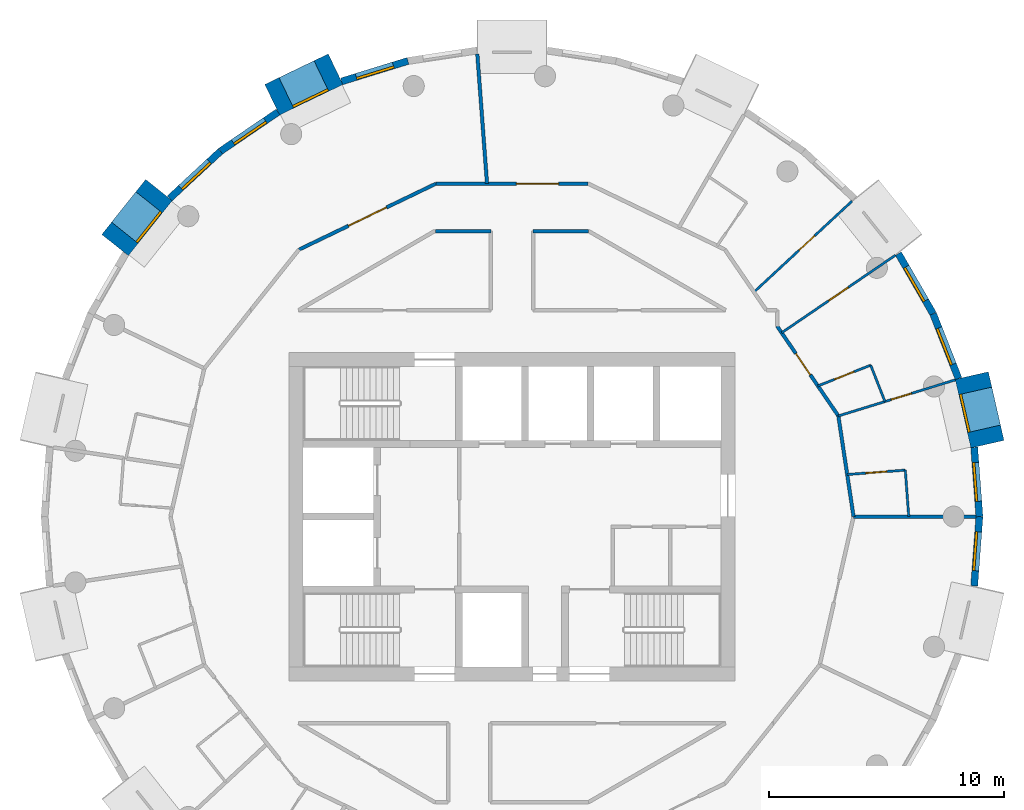
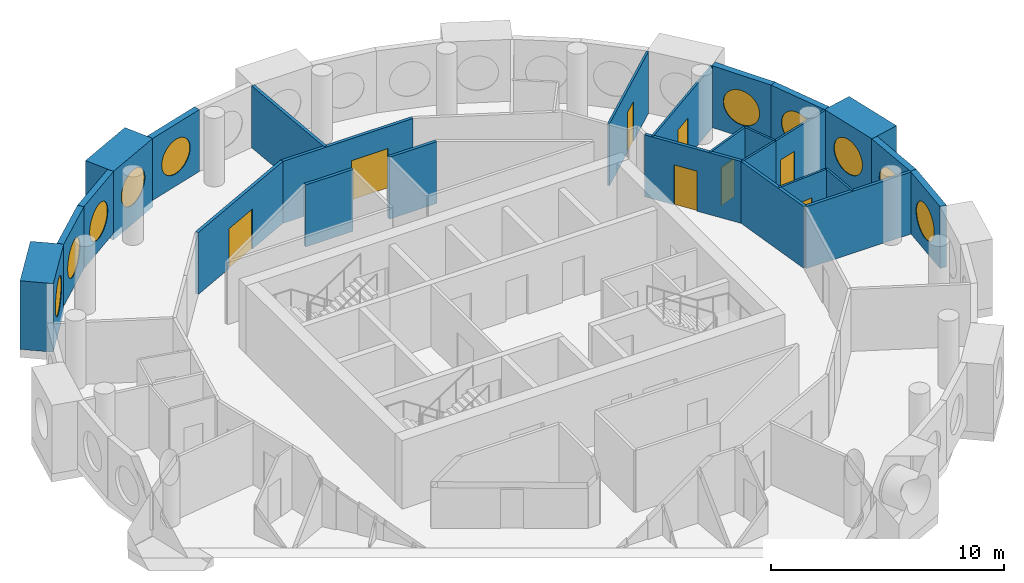
# One storey, part 9 of 12: 26 walls, 10 windows, 8 doors, 18 openings.
"""IFC4 building model written with IfcOpenShell, lengths in metres."""

from ifc_helpers import new_model, si_unit, direction, frame, frame_2d, origin, origin_2d, place, context, subcontext, project, spatial, rectangle, circle, extrude, material, layer, layer_set, type_object, element, fill, save


model = new_model("IFC4")

# Units and contexts
model_context = context("Model", 3, precision=1e-05, world=origin(), true_north=direction((0.0, 1.0)))
body_context = subcontext(model_context, "Body", "Model", "MODEL_VIEW")
ifc_project = project(units=[si_unit("LENGTHUNIT", "METRE"), si_unit("AREAUNIT", "SQUARE_METRE"), si_unit("VOLUMEUNIT", "CUBIC_METRE"), si_unit("PLANEANGLEUNIT", "RADIAN"), si_unit("MASSUNIT", "GRAM", prefix="KILO")], contexts=[model_context])

# Site, building, storey
site_placement = place(None, origin())
site = spatial("IfcSite", under=ifc_project, at=site_placement, CompositionType="ELEMENT")
building_placement = place(site_placement, origin())
building = spatial("IfcBuilding", under=site, at=building_placement, Name="Tracery Tower", CompositionType="ELEMENT")
storey_placement = place(building_placement, frame((0.0, 0.0, 283.800048828125)))
storey = spatial("IfcBuildingStorey", under=building, at=storey_placement, Name="L73", CompositionType="ELEMENT", Elevation=283.800048828125)

# Wall, opening, window
ifc_material_1 = material(Name="Precast concrete C50/60", Category="concrete")
ifc_layer_1 = layer(ifc_material_1, 1.449951171875)
ifc_layer_set_1 = layer_set([ifc_layer_1], Name="Deep-set bay unit 3000 x 3600, slab edge 350")
wall_type_1 = type_object("IfcWallType", Name="Deep-set bay unit 3000 x 3600, slab edge 350", PredefinedType="ELEMENTEDWALL", material=ifc_layer_set_1)
wall_1_placement = place(storey_placement, frame((20.262451171875, 3.086181640625, -0.35009765625), z_axis=(0.0, 0.0, 1.0), x_axis=(-0.222570682856, 0.974916555985, 0.0)))
wall_1 = element("IfcWall", 1, at=wall_1_placement, inside=storey, type_object=wall_type_1, Name="Deep-set bay unit 2 at L73", PredefinedType="ELEMENTEDWALL", context=body_context, shape_type="SweptSolid", body=[
    extrude(rectangle(XDim=3.0, YDim=1.449951171875, at=frame_2d((1.5, 0.0))), origin(), (0.0, 0.0, 1.0), 3.60009765625),
])
opening_1_placement = place(wall_1_placement, frame((1.5, 0.0, 1.89990234375)))
opening_1 = element("IfcOpeningElement", 2, at=opening_1_placement, cuts=wall_1, Name="Opening WN1", PredefinedType="OPENING", context=body_context, shape_type="SweptSolid", body=[
    extrude(circle(Radius=0.9000244140625, at=origin_2d()), frame((0.0, 0.73486328125, 0.0), z_axis=(0.0, -1.0, 0.0), x_axis=(1.0, 0.0, 0.0)), (0.0, 0.0, 1.0), 1.469970703125),
])
ifc_material_2 = material(Name="Aluminium frame with tinted double glazing", Category="aluminium")
window_type = type_object("IfcWindowType", Name="Round window 1800", PartitioningType="SINGLE_PANEL", PredefinedType="WINDOW", material=ifc_material_2)
window_1_placement = place(opening_1_placement, origin())
window_1 = element("IfcWindow", 3, at=window_1_placement, inside=storey, type_object=window_type, Name="Round window 2 at L73", OverallHeight=1.800048828125, OverallWidth=1.800048828125, PartitioningType="SINGLE_PANEL", PredefinedType="WINDOW", context=body_context, shape_type="SweptSolid", body=[
    extrude(circle(Radius=0.9000244140625, at=origin_2d()), frame((0.0, 0.69482421875, 0.0), z_axis=(0.0, -1.0, 0.0), x_axis=(1.0, 0.0, 0.0)), (0.0, 0.0, 1.0), 0.10009765625),
])
fill(opening_1, window_1)

wall_2_placement = place(storey_placement, frame((-7.517578125, 19.067626953125, -0.35009765625), z_axis=(0.0, 0.0, 1.0), x_axis=(-0.900953362039, -0.433915935904, 0.0)))
wall_2 = element("IfcWall", 4, at=wall_2_placement, inside=storey, type_object=wall_type_1, Name="Deep-set bay unit 14 at L73", PredefinedType="ELEMENTEDWALL", context=body_context, shape_type="SweptSolid", body=[
    extrude(rectangle(XDim=3.0, YDim=1.449951171875, at=frame_2d((1.5, 0.0))), origin(), (0.0, 0.0, 1.0), 3.60009765625),
])
opening_2_placement = place(wall_2_placement, frame((1.5, 0.0, 1.89990234375)))
opening_2 = element("IfcOpeningElement", 5, at=opening_2_placement, cuts=wall_2, Name="Opening WN1", PredefinedType="OPENING", context=body_context, shape_type="SweptSolid", body=[
    extrude(circle(Radius=0.9000244140625, at=origin_2d()), frame((0.0, 0.73486328125, 0.0), z_axis=(0.0, -1.0, 0.0), x_axis=(1.0, 0.0, 0.0)), (0.0, 0.0, 1.0), 1.469970703125),
])
window_2_placement = place(opening_2_placement, origin())
window_2 = element("IfcWindow", 6, at=window_2_placement, inside=storey, type_object=window_type, Name="Round window 14 at L73", OverallHeight=1.800048828125, OverallWidth=1.800048828125, PartitioningType="SINGLE_PANEL", PredefinedType="WINDOW", context=body_context, shape_type="SweptSolid", body=[
    extrude(circle(Radius=0.9000244140625, at=origin_2d()), frame((0.0, 0.69482421875, 0.0), z_axis=(0.0, -1.0, 0.0), x_axis=(1.0, 0.0, 0.0)), (0.0, 0.0, 1.0), 0.10009765625),
])
fill(opening_2, window_2)

wall_3_placement = place(storey_placement, frame((-15.046142578125, 13.91748046875, -0.35009765625), z_axis=(0.0, 0.0, 1.0), x_axis=(-0.623523286312, -0.781804778335, 0.0)))
wall_3 = element("IfcWall", 7, at=wall_3_placement, inside=storey, type_object=wall_type_1, Name="Deep-set bay unit 17 at L73", PredefinedType="ELEMENTEDWALL", context=body_context, shape_type="SweptSolid", body=[
    extrude(rectangle(XDim=3.0, YDim=1.449951171875, at=frame_2d((1.5, 0.0))), origin(), (0.0, 0.0, 1.0), 3.60009765625),
])
opening_3_placement = place(wall_3_placement, frame((1.5, 0.0, 1.89990234375)))
opening_3 = element("IfcOpeningElement", 8, at=opening_3_placement, cuts=wall_3, Name="Opening WN1", PredefinedType="OPENING", context=body_context, shape_type="SweptSolid", body=[
    extrude(circle(Radius=0.9000244140625, at=origin_2d()), frame((0.0, 0.73486328125, 0.0), z_axis=(0.0, -1.0, 0.0), x_axis=(1.0, 0.0, 0.0)), (0.0, 0.0, 1.0), 1.469970703125),
])
window_3_placement = place(opening_3_placement, origin())
window_3 = element("IfcWindow", 9, at=window_3_placement, inside=storey, type_object=window_type, Name="Round window 17 at L73", OverallHeight=1.800048828125, OverallWidth=1.800048828125, PartitioningType="SINGLE_PANEL", PredefinedType="WINDOW", context=body_context, shape_type="SweptSolid", body=[
    extrude(circle(Radius=0.9000244140625, at=origin_2d()), frame((0.0, 0.69482421875, 0.0), z_axis=(0.0, -1.0, 0.0), x_axis=(1.0, 0.0, 0.0)), (0.0, 0.0, 1.0), 0.10009765625),
])
fill(opening_3, window_3)

ifc_material_3 = material(Name="Precast concrete C50/60", Category="concrete")
ifc_layer_2 = layer(ifc_material_3, 0.300048828125)
ifc_layer_set_2 = layer_set([ifc_layer_2], Name="Facade panel 3000 x 3250")
wall_type_2 = type_object("IfcWallType", Name="Facade panel 3000 x 3250", PredefinedType="SOLIDWALL", material=ifc_layer_set_2)
wall_4_placement = place(storey_placement, frame((19.921875, 0.0, 0.0), z_axis=(0.0, 0.0, 1.0), x_axis=(-0.074755115547, 0.997201921729, 0.0)))
wall_4 = element("IfcWall", 10, at=wall_4_placement, inside=storey, type_object=wall_type_2, Name="Facade panel 1 at L73", PredefinedType="SOLIDWALL", context=body_context, shape_type="SweptSolid", body=[
    extrude(rectangle(XDim=2.962158203125, YDim=0.300048828125, at=frame_2d((1.48095703125, 0.0))), origin(), (0.0, 0.0, 1.0), 3.25),
])
opening_4_placement = place(wall_4_placement, frame((1.48095703125, 0.0, 1.5498046875)))
opening_4 = element("IfcOpeningElement", 11, at=opening_4_placement, cuts=wall_4, Name="Opening WN1", PredefinedType="OPENING", context=body_context, shape_type="SweptSolid", body=[
    extrude(circle(Radius=0.9000244140625, at=origin_2d()), frame((0.0, 0.159912109375, 0.0), z_axis=(0.0, -1.0, 0.0), x_axis=(1.0, 0.0, 0.0)), (0.0, 0.0, 1.0), 0.320068359375),
])
window_4_placement = place(opening_4_placement, origin())
window_4 = element("IfcWindow", 12, at=window_4_placement, inside=storey, type_object=window_type, Name="Round window 1 at L73", OverallHeight=1.800048828125, OverallWidth=1.800048828125, PartitioningType="SINGLE_PANEL", PredefinedType="WINDOW", context=body_context, shape_type="SweptSolid", body=[
    extrude(circle(Radius=0.9000244140625, at=origin_2d()), frame((0.0, 0.1201171875, 0.0), z_axis=(0.0, -1.0, 0.0), x_axis=(1.0, 0.0, 0.0)), (0.0, 0.0, 1.0), 0.10009765625),
])
fill(opening_4, window_4)

wall_5_placement = place(storey_placement, frame((19.03125, 5.88623046875, 0.0), z_axis=(0.0, 0.0, 1.0), x_axis=(-0.365343821297, 0.930872650925, 0.0)))
wall_5 = element("IfcWall", 13, at=wall_5_placement, inside=storey, type_object=wall_type_2, Name="Facade panel 3 at L73", PredefinedType="SOLIDWALL", context=body_context, shape_type="SweptSolid", body=[
    extrude(rectangle(XDim=2.96240234375, YDim=0.300048828125, at=frame_2d((1.481201171875, 0.0))), origin(), (0.0, 0.0, 1.0), 3.25),
])
opening_5_placement = place(wall_5_placement, frame((1.48095703125, 0.0, 1.5498046875)))
opening_5 = element("IfcOpeningElement", 14, at=opening_5_placement, cuts=wall_5, Name="Opening WN1", PredefinedType="OPENING", context=body_context, shape_type="SweptSolid", body=[
    extrude(circle(Radius=0.9000244140625, at=origin_2d()), frame((0.0, 0.159912109375, 0.0), z_axis=(0.0, -1.0, 0.0), x_axis=(1.0, 0.0, 0.0)), (0.0, 0.0, 1.0), 0.320068359375),
])
window_5_placement = place(opening_5_placement, origin())
window_5 = element("IfcWindow", 15, at=window_5_placement, inside=storey, type_object=window_type, Name="Round window 3 at L73", OverallHeight=1.800048828125, OverallWidth=1.800048828125, PartitioningType="SINGLE_PANEL", PredefinedType="WINDOW", context=body_context, shape_type="SweptSolid", body=[
    extrude(circle(Radius=0.9000244140625, at=origin_2d()), frame((0.0, 0.1201171875, 0.0), z_axis=(0.0, -1.0, 0.0), x_axis=(1.0, 0.0, 0.0)), (0.0, 0.0, 1.0), 0.10009765625),
])
fill(opening_5, window_5)

wall_6_placement = place(storey_placement, frame((17.948974609375, 8.643798828125, 0.0), z_axis=(0.0, 0.0, 1.0), x_axis=(-0.500012570604, 0.866018146021, 0.0)))
wall_6 = element("IfcWall", 16, at=wall_6_placement, inside=storey, type_object=wall_type_2, Name="Facade panel 4 at L73", PredefinedType="SOLIDWALL", context=body_context, shape_type="SweptSolid", body=[
    extrude(rectangle(XDim=2.96240234375, YDim=0.300048828125, at=frame_2d((1.481201171875, 0.0))), origin(), (0.0, 0.0, 1.0), 3.25),
])
opening_6_placement = place(wall_6_placement, frame((1.48095703125, 0.0, 1.5498046875)))
opening_6 = element("IfcOpeningElement", 17, at=opening_6_placement, cuts=wall_6, Name="Opening WN1", PredefinedType="OPENING", context=body_context, shape_type="SweptSolid", body=[
    extrude(circle(Radius=0.9000244140625, at=origin_2d()), frame((0.0, 0.159912109375, 0.0), z_axis=(0.0, -1.0, 0.0), x_axis=(1.0, 0.0, 0.0)), (0.0, 0.0, 1.0), 0.320068359375),
])
window_6_placement = place(opening_6_placement, origin())
window_6 = element("IfcWindow", 18, at=window_6_placement, inside=storey, type_object=window_type, Name="Round window 4 at L73", OverallHeight=1.800048828125, OverallWidth=1.800048828125, PartitioningType="SINGLE_PANEL", PredefinedType="WINDOW", context=body_context, shape_type="SweptSolid", body=[
    extrude(circle(Radius=0.9000244140625, at=origin_2d()), frame((0.0, 0.1201171875, 0.0), z_axis=(0.0, -1.0, 0.0), x_axis=(1.0, 0.0, 0.0)), (0.0, 0.0, 1.0), 0.10009765625),
])
fill(opening_6, window_6)

wall_7_placement = place(storey_placement, frame((-4.43310546875, 19.42236328125, 0.0), z_axis=(0.0, 0.0, 1.0), x_axis=(-0.955555982805, -0.29480970765, 0.0)))
wall_7 = element("IfcWall", 19, at=wall_7_placement, inside=storey, type_object=wall_type_2, Name="Facade panel 13 at L73", PredefinedType="SOLIDWALL", context=body_context, shape_type="SweptSolid", body=[
    extrude(rectangle(XDim=2.962158203125, YDim=0.300048828125, at=frame_2d((1.48095703125, 0.0))), origin(), (0.0, 0.0, 1.0), 3.25),
])
opening_7_placement = place(wall_7_placement, frame((1.48095703125, 0.0, 1.5498046875)))
opening_7 = element("IfcOpeningElement", 20, at=opening_7_placement, cuts=wall_7, Name="Opening WN1", PredefinedType="OPENING", context=body_context, shape_type="SweptSolid", body=[
    extrude(circle(Radius=0.9000244140625, at=origin_2d()), frame((0.0, 0.159912109375, 0.0), z_axis=(0.0, -1.0, 0.0), x_axis=(1.0, 0.0, 0.0)), (0.0, 0.0, 1.0), 0.320068359375),
])
window_7_placement = place(opening_7_placement, origin())
window_7 = element("IfcWindow", 21, at=window_7_placement, inside=storey, type_object=window_type, Name="Round window 13 at L73", OverallHeight=1.800048828125, OverallWidth=1.800048828125, PartitioningType="SINGLE_PANEL", PredefinedType="WINDOW", context=body_context, shape_type="SweptSolid", body=[
    extrude(circle(Radius=0.9000244140625, at=origin_2d()), frame((0.0, 0.1201171875, 0.0), z_axis=(0.0, -1.0, 0.0), x_axis=(1.0, 0.0, 0.0)), (0.0, 0.0, 1.0), 0.10009765625),
])
fill(opening_7, window_7)

wall_8_placement = place(storey_placement, frame((-9.9736328125, 17.244140625, 0.0), z_axis=(0.0, 0.0, 1.0), x_axis=(-0.826236061068, -0.563324037646, 0.0)))
wall_8 = element("IfcWall", 22, at=wall_8_placement, inside=storey, type_object=wall_type_2, Name="Facade panel 15 at L73", PredefinedType="SOLIDWALL", context=body_context, shape_type="SweptSolid", body=[
    extrude(rectangle(XDim=2.962158203125, YDim=0.300048828125, at=frame_2d((1.48095703125, 0.0))), origin(), (0.0, 0.0, 1.0), 3.25),
])
opening_8_placement = place(wall_8_placement, frame((1.48095703125, 0.0, 1.5498046875)))
opening_8 = element("IfcOpeningElement", 23, at=opening_8_placement, cuts=wall_8, Name="Opening WN1", PredefinedType="OPENING", context=body_context, shape_type="SweptSolid", body=[
    extrude(circle(Radius=0.9000244140625, at=origin_2d()), frame((0.0, 0.159912109375, 0.0), z_axis=(0.0, -1.0, 0.0), x_axis=(1.0, 0.0, 0.0)), (0.0, 0.0, 1.0), 0.320068359375),
])
window_8_placement = place(opening_8_placement, origin())
window_8 = element("IfcWindow", 24, at=window_8_placement, inside=storey, type_object=window_type, Name="Round window 15 at L73", OverallHeight=1.800048828125, OverallWidth=1.800048828125, PartitioningType="SINGLE_PANEL", PredefinedType="WINDOW", context=body_context, shape_type="SweptSolid", body=[
    extrude(circle(Radius=0.9000244140625, at=origin_2d()), frame((0.0, 0.1201171875, 0.0), z_axis=(0.0, -1.0, 0.0), x_axis=(1.0, 0.0, 0.0)), (0.0, 0.0, 1.0), 0.10009765625),
])
fill(opening_8, window_8)

wall_9_placement = place(storey_placement, frame((-12.421142578125, 15.575439453125, 0.0), z_axis=(0.0, 0.0, 1.0), x_axis=(-0.733028283666, -0.680198158882, 0.0)))
wall_9 = element("IfcWall", 25, at=wall_9_placement, inside=storey, type_object=wall_type_2, Name="Facade panel 16 at L73", PredefinedType="SOLIDWALL", context=body_context, shape_type="SweptSolid", body=[
    extrude(rectangle(XDim=2.962158203125, YDim=0.300048828125, at=frame_2d((1.48095703125, 0.0))), origin(), (0.0, 0.0, 1.0), 3.25),
])
opening_9_placement = place(wall_9_placement, frame((1.48095703125, 0.0, 1.5498046875)))
opening_9 = element("IfcOpeningElement", 26, at=opening_9_placement, cuts=wall_9, Name="Opening WN1", PredefinedType="OPENING", context=body_context, shape_type="SweptSolid", body=[
    extrude(circle(Radius=0.9000244140625, at=origin_2d()), frame((0.0, 0.159912109375, 0.0), z_axis=(0.0, -1.0, 0.0), x_axis=(1.0, 0.0, 0.0)), (0.0, 0.0, 1.0), 0.320068359375),
])
window_9_placement = place(opening_9_placement, origin())
window_9 = element("IfcWindow", 27, at=window_9_placement, inside=storey, type_object=window_type, Name="Round window 16 at L73", OverallHeight=1.800048828125, OverallWidth=1.800048828125, PartitioningType="SINGLE_PANEL", PredefinedType="WINDOW", context=body_context, shape_type="SweptSolid", body=[
    extrude(circle(Radius=0.9000244140625, at=origin_2d()), frame((0.0, 0.1201171875, 0.0), z_axis=(0.0, -1.0, 0.0), x_axis=(1.0, 0.0, 0.0)), (0.0, 0.0, 1.0), 0.10009765625),
])
fill(opening_9, window_9)

wall_10_placement = place(storey_placement, frame((19.700439453125, -2.953857421875, 0.0), z_axis=(0.0, 0.0, 1.0), x_axis=(0.074755115547, 0.997201921729, 0.0)))
wall_10 = element("IfcWall", 28, at=wall_10_placement, inside=storey, type_object=wall_type_2, Name="Facade panel 42 at L73", PredefinedType="SOLIDWALL", context=body_context, shape_type="SweptSolid", body=[
    extrude(rectangle(XDim=2.962158203125, YDim=0.300048828125, at=frame_2d((1.48095703125, 0.0))), origin(), (0.0, 0.0, 1.0), 3.25),
])
opening_10_placement = place(wall_10_placement, frame((1.48095703125, 0.0, 1.5498046875)))
opening_10 = element("IfcOpeningElement", 29, at=opening_10_placement, cuts=wall_10, Name="Opening WN1", PredefinedType="OPENING", context=body_context, shape_type="SweptSolid", body=[
    extrude(circle(Radius=0.9000244140625, at=origin_2d()), frame((0.0, 0.159912109375, 0.0), z_axis=(0.0, -1.0, 0.0), x_axis=(1.0, 0.0, 0.0)), (0.0, 0.0, 1.0), 0.320068359375),
])
window_10_placement = place(opening_10_placement, origin())
window_10 = element("IfcWindow", 30, at=window_10_placement, inside=storey, type_object=window_type, Name="Round window 42 at L73", OverallHeight=1.800048828125, OverallWidth=1.800048828125, PartitioningType="SINGLE_PANEL", PredefinedType="WINDOW", context=body_context, shape_type="SweptSolid", body=[
    extrude(circle(Radius=0.9000244140625, at=origin_2d()), frame((0.0, 0.1201171875, 0.0), z_axis=(0.0, -1.0, 0.0), x_axis=(1.0, 0.0, 0.0)), (0.0, 0.0, 1.0), 0.10009765625),
])
fill(opening_10, window_10)

# Wall, opening, door
ifc_material_4 = material(Name="Plasterboard on steel studs", Category="steel")
ifc_layer_3 = layer(ifc_material_4, 0.10009765625)
ifc_layer_set_3 = layer_set([ifc_layer_3], Name="Partition 100 stud")
wall_type_3 = type_object("IfcWallType", Name="Partition 100 stud", PredefinedType="PARTITIONING", material=ifc_layer_set_3)
wall_11_placement = place(storey_placement, frame((11.492919921875, 7.8359375, 0.0), z_axis=(0.0, 0.0, 1.0), x_axis=(0.826231748746, 0.563330362544, 0.0)))
wall_11 = element("IfcWall", 31, at=wall_11_placement, inside=storey, type_object=wall_type_3, Name="Stud partition RC6-046", PredefinedType="PARTITIONING", context=body_context, shape_type="SweptSolid", body=[
    extrude(rectangle(XDim=5.861572265625, YDim=0.10009765625, at=frame_2d((2.9306640625, 0.0))), origin(), (0.0, 0.0, 1.0), 3.25),
])
opening_11_placement = place(wall_11_placement, frame((2.430908203125, 0.0, 0.0)))
opening_11 = element("IfcOpeningElement", 32, at=opening_11_placement, cuts=wall_11, Name="Opening RC6-06", PredefinedType="OPENING", context=body_context, shape_type="SweptSolid", body=[
    extrude(rectangle(XDim=1.0, YDim=2.0400390625, at=frame_2d((0.5, 1.02001953125))), frame((0.0, 0.050048828125, 0.0), z_axis=(0.0, -1.0, 0.0), x_axis=(1.0, 0.0, 0.0)), (0.0, 0.0, 1.0), 0.10009765625),
])
ifc_material_5 = material(Name="Timber door leaf", Category="wood")
door_type_1 = type_object("IfcDoorType", Name="Door communal room 1000", OperationType="NOTDEFINED", PredefinedType="DOOR", material=ifc_material_5)
door_1_placement = place(opening_11_placement, origin())
door_1 = element("IfcDoor", 33, at=door_1_placement, inside=storey, type_object=door_type_1, Name="Communal room door RC6-06", OperationType="SINGLE_SWING_RIGHT", OverallHeight=2.0400390625, OverallWidth=1.0, PredefinedType="DOOR", context=body_context, shape_type="SweptSolid", body=[
    extrude(rectangle(XDim=1.0, YDim=2.0400390625, at=frame_2d((0.5, 1.02001953125))), frame((0.0, 0.02490234375, 0.0), z_axis=(0.0, -1.0, 0.0), x_axis=(1.0, 0.0, 0.0)), (0.0, 0.0, 1.0), 0.050048828125),
])
fill(opening_11, door_1)

wall_12_placement = place(storey_placement, frame((15.89599609375, 4.904052734375, 0.0), z_axis=(0.0, 0.0, 1.0), x_axis=(0.955630770746, 0.294567190983, 0.0)))
wall_12 = element("IfcWall", 34, at=wall_12_placement, inside=storey, type_object=wall_type_3, Name="Stud partition RC6-049", PredefinedType="PARTITIONING", context=body_context, shape_type="SweptSolid", body=[
    extrude(rectangle(XDim=3.13623046875, YDim=0.10009765625, at=frame_2d((1.568115234375, 0.0))), origin(), (0.0, 0.0, 1.0), 3.25),
])
opening_12_placement = place(wall_12_placement, frame((0.276123046875, 0.0, 0.0)))
opening_12 = element("IfcOpeningElement", 35, at=opening_12_placement, cuts=wall_12, Name="Opening RC6-08", PredefinedType="OPENING", context=body_context, shape_type="SweptSolid", body=[
    extrude(rectangle(XDim=0.89990234375, YDim=2.10009765625, at=frame_2d((0.449951171875, 1.050048828125))), frame((0.0, 0.050048828125, 0.0), z_axis=(0.0, -1.0, 0.0), x_axis=(1.0, 0.0, 0.0)), (0.0, 0.0, 1.0), 0.10009765625),
])
ifc_material_6 = material(Name="Timber door leaf", Category="wood")
door_type_2 = type_object("IfcDoorType", Name="Door bedroom 900", OperationType="NOTDEFINED", PredefinedType="DOOR", material=ifc_material_6)
door_2_placement = place(opening_12_placement, origin())
door_2 = element("IfcDoor", 36, at=door_2_placement, inside=storey, type_object=door_type_2, Name="Bedroom door RC6-08", OperationType="SINGLE_SWING_RIGHT", OverallHeight=2.10009765625, OverallWidth=0.89990234375, PredefinedType="DOOR", context=body_context, shape_type="SweptSolid", body=[
    extrude(rectangle(XDim=0.89990234375, YDim=2.10009765625, at=frame_2d((0.449951171875, 1.050048828125))), frame((0.0, 0.02490234375, 0.0), z_axis=(0.0, -1.0, 0.0), x_axis=(1.0, 0.0, 0.0)), (0.0, 0.0, 1.0), 0.050048828125),
])
fill(opening_12, door_2)

wall_13_placement = place(storey_placement, frame((10.31201171875, 9.568115234375, 0.0), z_axis=(0.0, 0.0, 1.0), x_axis=(0.733002312561, 0.680226146057, 0.0)))
wall_13 = element("IfcWall", 37, at=wall_13_placement, inside=storey, type_object=wall_type_3, Name="Stud partition RC6-050", PredefinedType="PARTITIONING", context=body_context, shape_type="SweptSolid", body=[
    extrude(rectangle(XDim=5.703857421875, YDim=0.10009765625, at=frame_2d((2.85205078125, 0.0))), origin(), (0.0, 0.0, 1.0), 3.25),
])
opening_13_placement = place(wall_13_placement, frame((2.6220703125, 0.0, 0.0)))
opening_13 = element("IfcOpeningElement", 38, at=opening_13_placement, cuts=wall_13, Name="Opening RC6-10", PredefinedType="OPENING", context=body_context, shape_type="SweptSolid", body=[
    extrude(rectangle(XDim=0.89990234375, YDim=2.10009765625, at=frame_2d((0.449951171875, 1.050048828125))), frame((0.0, 0.050048828125, 0.0), z_axis=(0.0, -1.0, 0.0), x_axis=(1.0, 0.0, 0.0)), (0.0, 0.0, 1.0), 0.10009765625),
])
door_3_placement = place(opening_13_placement, origin())
door_3 = element("IfcDoor", 39, at=door_3_placement, inside=storey, type_object=door_type_2, Name="Bedroom door RC6-10", OperationType="SINGLE_SWING_RIGHT", OverallHeight=2.10009765625, OverallWidth=0.89990234375, PredefinedType="DOOR", context=body_context, shape_type="SweptSolid", body=[
    extrude(rectangle(XDim=0.89990234375, YDim=2.10009765625, at=frame_2d((0.449951171875, 1.050048828125))), frame((0.0, 0.02490234375, 0.0), z_axis=(0.0, -1.0, 0.0), x_axis=(1.0, 0.0, 0.0)), (0.0, 0.0, 1.0), 0.050048828125),
])
fill(opening_13, door_3)

# Wall
ifc_material_7 = material(Name="Plasterboard on steel studs", Category="steel")
ifc_layer_4 = layer(ifc_material_7, 0.10009765625)
ifc_layer_set_4 = layer_set([ifc_layer_4], Name="Partition 100 wet wall")
wall_type_4 = type_object("IfcWallType", Name="Partition 100 wet wall", PredefinedType="PARTITIONING", material=ifc_layer_set_4)
wall_14_placement = place(storey_placement, frame((15.287109375, 6.4541015625, 0.0), z_axis=(0.0, 0.0, 1.0), x_axis=(0.365620622357, -0.930763966056, 0.0)))
element("IfcWall", 40, at=wall_14_placement, inside=storey, type_object=wall_type_4, Name="Wet wall RC6-047", PredefinedType="PARTITIONING", context=body_context, shape_type="SweptSolid", body=[
    extrude(rectangle(XDim=1.665283203125, YDim=0.10009765625, at=frame_2d((0.83251953125, 0.0))), origin(), (0.0, 0.0, 1.0), 3.25),
])

# Wall, opening, door
wall_15_placement = place(storey_placement, frame((13.037109375, 5.571044921875, 0.0), z_axis=(0.0, 0.0, 1.0), x_axis=(0.930874211086, 0.365339846083, 0.0)))
wall_15 = element("IfcWall", 41, at=wall_15_placement, inside=storey, type_object=wall_type_4, Name="Wet wall RC6-048", PredefinedType="PARTITIONING", context=body_context, shape_type="SweptSolid", body=[
    extrude(rectangle(XDim=2.4169921875, YDim=0.10009765625, at=frame_2d((1.20849609375, 0.0))), origin(), (0.0, 0.0, 1.0), 3.25),
])
opening_14_placement = place(wall_15_placement, frame((0.758056640625, 0.0, 0.0)))
opening_14 = element("IfcOpeningElement", 42, at=opening_14_placement, cuts=wall_15, Name="Opening RC6-07", PredefinedType="OPENING", context=body_context, shape_type="SweptSolid", body=[
    extrude(rectangle(XDim=0.89990234375, YDim=2.0, at=frame_2d((0.449951171875, 1.0))), frame((0.0, 0.050048828125, 0.0), z_axis=(0.0, -1.0, 0.0), x_axis=(1.0, 0.0, 0.0)), (0.0, 0.0, 1.0), 0.10009765625),
])
ifc_material_8 = material(Name="Timber door leaf", Category="wood")
door_type_3 = type_object("IfcDoorType", Name="Door shower room 900", OperationType="NOTDEFINED", PredefinedType="DOOR", material=ifc_material_8)
door_4_placement = place(opening_14_placement, origin())
door_4 = element("IfcDoor", 43, at=door_4_placement, inside=storey, type_object=door_type_3, Name="Shower room door RC6-07", OperationType="SINGLE_SWING_RIGHT", OverallHeight=2.0, OverallWidth=0.89990234375, PredefinedType="DOOR", context=body_context, shape_type="SweptSolid", body=[
    extrude(rectangle(XDim=0.89990234375, YDim=2.0, at=frame_2d((0.449951171875, 1.0))), frame((0.0, 0.02490234375, 0.0), z_axis=(0.0, -1.0, 0.0), x_axis=(1.0, 0.0, 0.0)), (0.0, 0.0, 1.0), 0.050048828125),
])
fill(opening_14, door_4)

# Walls
wall_16_placement = place(storey_placement, frame((13.909912109375, 4.291015625, 0.0), z_axis=(0.0, 0.0, 1.0), x_axis=(0.955649377322, 0.294506821014, 0.0)))
element("IfcWall", 44, at=wall_16_placement, inside=storey, type_object=wall_type_4, Name="Wet wall RC6-051", PredefinedType="PARTITIONING", context=body_context, shape_type="SweptSolid", body=[
    extrude(rectangle(XDim=2.078369140625, YDim=0.10009765625, at=frame_2d((1.0390625, 0.0))), origin(), (0.0, 0.0, 1.0), 3.25),
])
wall_17_placement = place(storey_placement, frame((16.761962890625, 1.98095703125, 0.0), z_axis=(0.0, 0.0, 1.0), x_axis=(0.074478298815, -0.997222634624, 0.0)))
element("IfcWall", 45, at=wall_17_placement, inside=storey, type_object=wall_type_4, Name="Wet wall RC6-052", PredefinedType="PARTITIONING", context=body_context, shape_type="SweptSolid", body=[
    extrude(rectangle(XDim=1.986572265625, YDim=0.10009765625, at=frame_2d((0.9931640625, 0.0))), origin(), (0.0, 0.0, 1.0), 3.25),
])

# Wall, opening, door
wall_18_placement = place(storey_placement, frame((14.285888671875, 1.794921875, 0.0), z_axis=(0.0, 0.0, 1.0), x_axis=(0.997189401658, 0.074921940846, 0.0)))
wall_18 = element("IfcWall", 46, at=wall_18_placement, inside=storey, type_object=wall_type_4, Name="Wet wall RC6-053", PredefinedType="PARTITIONING", context=body_context, shape_type="SweptSolid", body=[
    extrude(rectangle(XDim=2.483154296875, YDim=0.10009765625, at=frame_2d((1.24169921875, 0.0))), origin(), (0.0, 0.0, 1.0), 3.25),
])
opening_15_placement = place(wall_18_placement, frame((0.7919921875, 0.0, 0.0)))
opening_15 = element("IfcOpeningElement", 47, at=opening_15_placement, cuts=wall_18, Name="Opening RC6-09", PredefinedType="OPENING", context=body_context, shape_type="SweptSolid", body=[
    extrude(rectangle(XDim=0.89990234375, YDim=2.0400390625, at=frame_2d((0.449951171875, 1.02001953125))), frame((0.0, 0.050048828125, 0.0), z_axis=(0.0, -1.0, 0.0), x_axis=(1.0, 0.0, 0.0)), (0.0, 0.0, 1.0), 0.10009765625),
])
ifc_material_9 = material(Name="Timber door leaf", Category="wood")
door_type_4 = type_object("IfcDoorType", Name="Door en-suite 900", OperationType="NOTDEFINED", PredefinedType="DOOR", material=ifc_material_9)
door_5_placement = place(opening_15_placement, origin())
door_5 = element("IfcDoor", 48, at=door_5_placement, inside=storey, type_object=door_type_4, Name="En-suite door RC6-09", OperationType="SINGLE_SWING_LEFT", OverallHeight=2.0400390625, OverallWidth=0.89990234375, PredefinedType="DOOR", context=body_context, shape_type="SweptSolid", body=[
    extrude(rectangle(XDim=0.89990234375, YDim=2.0400390625, at=frame_2d((0.449951171875, 1.02001953125))), frame((0.0, 0.02490234375, 0.0), z_axis=(0.0, -1.0, 0.0), x_axis=(1.0, 0.0, 0.0)), (0.0, 0.0, 1.0), 0.050048828125),
])
fill(opening_15, door_5)

# Walls
ifc_material_10 = material(Name="Plasterboard on steel studs", Category="steel")
ifc_layer_5 = layer(ifc_material_10, 0.14990234375)
ifc_layer_set_5 = layer_set([ifc_layer_5], Name="Partition 150 acoustic unit wall")
wall_type_5 = type_object("IfcWallType", Name="Partition 150 acoustic unit wall", PredefinedType="PARTITIONING", material=ifc_layer_set_5)
wall_19_placement = place(storey_placement, frame((14.556884765625, 0.0, 0.0), z_axis=(0.0, 0.0, 1.0), x_axis=(1.0, 0.0, 0.0)))
element("IfcWall", 49, at=wall_19_placement, inside=storey, type_object=wall_type_5, Name="Unit wall RC6-054", PredefinedType="PARTITIONING", context=body_context, shape_type="SweptSolid", body=[
    extrude(rectangle(XDim=5.214111328125, YDim=0.14990234375, at=frame_2d((2.60693359375, 0.0))), origin(), (0.0, 0.0, 1.0), 3.25),
])
wall_20_placement = place(storey_placement, frame((-1.47802734375, 19.716064453125, 0.0), z_axis=(0.0, 0.0, 1.0), x_axis=(0.074745027699, -0.997202677912, 0.0)))
element("IfcWall", 50, at=wall_20_placement, inside=storey, type_object=wall_type_5, Name="Unit wall RC6-058", PredefinedType="PARTITIONING", context=body_context, shape_type="SweptSolid", body=[
    extrude(rectangle(XDim=5.53955078125, YDim=0.14990234375, at=frame_2d((2.769775390625, 0.0))), origin(), (0.0, 0.0, 1.0), 3.25),
])

# Wall, opening, door
ifc_material_11 = material(Name="Plasterboard on steel studs", Category="steel")
ifc_layer_6 = layer(ifc_material_11, 0.14990234375)
ifc_layer_set_6 = layer_set([ifc_layer_6], Name="Partition 150 corridor wall")
wall_type_6 = type_object("IfcWallType", Name="Partition 150 corridor wall", PredefinedType="PARTITIONING", material=ifc_layer_set_6)
wall_21_placement = place(storey_placement, frame((11.300048828125, 8.118896484375, 0.0), z_axis=(0.0, 0.0, 1.0), x_axis=(0.56348561488, -0.82612587529, 0.0)))
wall_21 = element("IfcWall", 51, at=wall_21_placement, inside=storey, type_object=wall_type_6, Name="Corridor wall RC6-021", PredefinedType="PARTITIONING", context=body_context, shape_type="SweptSolid", body=[
    extrude(rectangle(XDim=4.633056640625, YDim=0.14990234375, at=frame_2d((2.31640625, 0.0))), origin(), (0.0, 0.0, 1.0), 3.25),
])
opening_16_placement = place(wall_21_placement, frame((1.412841796875, 0.0, 0.0)))
opening_16 = element("IfcOpeningElement", 52, at=opening_16_placement, cuts=wall_21, Name="Opening RC6-05", PredefinedType="OPENING", context=body_context, shape_type="SweptSolid", body=[
    extrude(rectangle(XDim=1.10009765625, YDim=2.10009765625, at=frame_2d((0.550048828125, 1.050048828125))), frame((0.0, 0.074951171875, 0.0), z_axis=(0.0, -1.0, 0.0), x_axis=(1.0, 0.0, 0.0)), (0.0, 0.0, 1.0), 0.14990234375),
])
ifc_material_12 = material(Name="Timber door leaf", Category="wood")
door_type_5 = type_object("IfcDoorType", Name="Door cluster entrance 1100", OperationType="NOTDEFINED", PredefinedType="DOOR", material=ifc_material_12)
door_6_placement = place(opening_16_placement, origin())
door_6 = element("IfcDoor", 53, at=door_6_placement, inside=storey, type_object=door_type_5, Name="Cluster entrance door RC6-05", OperationType="SINGLE_SWING_RIGHT", OverallHeight=2.10009765625, OverallWidth=1.10009765625, PredefinedType="DOOR", context=body_context, shape_type="SweptSolid", body=[
    extrude(rectangle(XDim=1.10009765625, YDim=2.10009765625, at=frame_2d((0.550048828125, 1.050048828125))), frame((0.0, 0.02490234375, 0.0), z_axis=(0.0, -1.0, 0.0), x_axis=(1.0, 0.0, 0.0)), (0.0, 0.0, 1.0), 0.050048828125),
])
fill(opening_16, door_6)

# Walls
wall_22_placement = place(storey_placement, frame((13.909912109375, 4.291015625, 0.0), z_axis=(0.0, 0.0, 1.0), x_axis=(0.149143716951, -0.988815529659, 0.0)))
element("IfcWall", 54, at=wall_22_placement, inside=storey, type_object=wall_type_6, Name="Corridor wall RC6-022", PredefinedType="PARTITIONING", context=body_context, shape_type="SweptSolid", body=[
    extrude(rectangle(XDim=4.339599609375, YDim=0.14990234375, at=frame_2d((2.169921875, 0.0))), origin(), (0.0, 0.0, 1.0), 3.25),
])
for number, where, z_axis, x_axis, name in (
    (55, (-3.260986328125, 12.1708984375, 0.0), (0.0, 0.0, 1.0), (1.0, 0.0, 0.0), "Corridor wall RC6-026"),
    (56, (0.89990234375, 12.1708984375, 0.0), (0.0, 0.0, 1.0), (1.0, 0.0, 0.0), "Corridor wall RC6-028"),
):
    element("IfcWall", number, at=place(storey_placement, frame(where, z_axis=z_axis, x_axis=x_axis)), inside=storey, type_object=wall_type_6, Name=name, PredefinedType="PARTITIONING", context=body_context, shape_type="SweptSolid", body=[
        extrude(rectangle(XDim=2.361083984375, YDim=0.14990234375, at=frame_2d((1.1806640625, 0.0))), origin(), (0.0, 0.0, 1.0), 3.25),
    ])

# Wall, opening, door
wall_23_placement = place(storey_placement, frame((-3.239013671875, 14.19189453125, 0.0), z_axis=(0.0, 0.0, 1.0), x_axis=(1.0, 0.0, 0.0)))
wall_23 = element("IfcWall", 57, at=wall_23_placement, inside=storey, type_object=wall_type_6, Name="Corridor wall RC6-031", PredefinedType="PARTITIONING", context=body_context, shape_type="SweptSolid", body=[
    extrude(rectangle(XDim=6.47802734375, YDim=0.14990234375, at=frame_2d((3.239013671875, 0.0))), origin(), (0.0, 0.0, 1.0), 3.25),
])
opening_17_placement = place(wall_23_placement, frame((3.425048828125, 0.0, 0.0)))
opening_17 = element("IfcOpeningElement", 58, at=opening_17_placement, cuts=wall_23, Name="Opening RC6-12", PredefinedType="OPENING", context=body_context, shape_type="SweptSolid", body=[
    extrude(rectangle(XDim=1.800048828125, YDim=2.10009765625, at=frame_2d((0.89990234375, 1.050048828125))), frame((0.0, 0.074951171875, 0.0), z_axis=(0.0, -1.0, 0.0), x_axis=(1.0, 0.0, 0.0)), (0.0, 0.0, 1.0), 0.14990234375),
])
ifc_material_13 = material(Name="Timber door leaf", Category="wood")
door_type_6 = type_object("IfcDoorType", Name="Door double lounge 1800", OperationType="NOTDEFINED", PredefinedType="DOOR", material=ifc_material_13)
door_7_placement = place(opening_17_placement, origin())
door_7 = element("IfcDoor", 59, at=door_7_placement, inside=storey, type_object=door_type_6, Name="Double lounge door RC6-12", OperationType="DOUBLE_DOOR_SINGLE_SWING", OverallHeight=2.10009765625, OverallWidth=1.800048828125, PredefinedType="DOOR", context=body_context, shape_type="SweptSolid", body=[
    extrude(rectangle(XDim=1.800048828125, YDim=2.10009765625, at=frame_2d((0.89990234375, 1.050048828125))), frame((0.0, 0.02490234375, 0.0), z_axis=(0.0, -1.0, 0.0), x_axis=(1.0, 0.0, 0.0)), (0.0, 0.0, 1.0), 0.050048828125),
])
fill(opening_17, door_7)

wall_24_placement = place(storey_placement, frame((-9.075927734375, 11.381103515625, 0.0), z_axis=(0.0, 0.0, 1.0), x_axis=(0.900976027191, 0.433868872388, 0.0)))
wall_24 = element("IfcWall", 60, at=wall_24_placement, inside=storey, type_object=wall_type_6, Name="Corridor wall RC6-032", PredefinedType="PARTITIONING", context=body_context, shape_type="SweptSolid", body=[
    extrude(rectangle(XDim=6.478515625, YDim=0.14990234375, at=frame_2d((3.2392578125, 0.0))), origin(), (0.0, 0.0, 1.0), 3.25),
])
opening_18_placement = place(wall_24_placement, frame((2.339111328125, 0.0, 0.0)))
opening_18 = element("IfcOpeningElement", 61, at=opening_18_placement, cuts=wall_24, Name="Opening RC6-13", PredefinedType="OPENING", context=body_context, shape_type="SweptSolid", body=[
    extrude(rectangle(XDim=1.800048828125, YDim=2.10009765625, at=frame_2d((0.89990234375, 1.050048828125))), frame((0.0, 0.074951171875, 0.0), z_axis=(0.0, -1.0, 0.0), x_axis=(1.0, 0.0, 0.0)), (0.0, 0.0, 1.0), 0.14990234375),
])
door_8_placement = place(opening_18_placement, origin())
door_8 = element("IfcDoor", 62, at=door_8_placement, inside=storey, type_object=door_type_6, Name="Double lounge door RC6-13", OperationType="DOUBLE_DOOR_SINGLE_SWING", OverallHeight=2.10009765625, OverallWidth=1.800048828125, PredefinedType="DOOR", context=body_context, shape_type="SweptSolid", body=[
    extrude(rectangle(XDim=1.800048828125, YDim=2.10009765625, at=frame_2d((0.89990234375, 1.050048828125))), frame((0.0, 0.02490234375, 0.0), z_axis=(0.0, -1.0, 0.0), x_axis=(1.0, 0.0, 0.0)), (0.0, 0.0, 1.0), 0.050048828125),
])
fill(opening_18, door_8)

save(model, "model.ifc")
